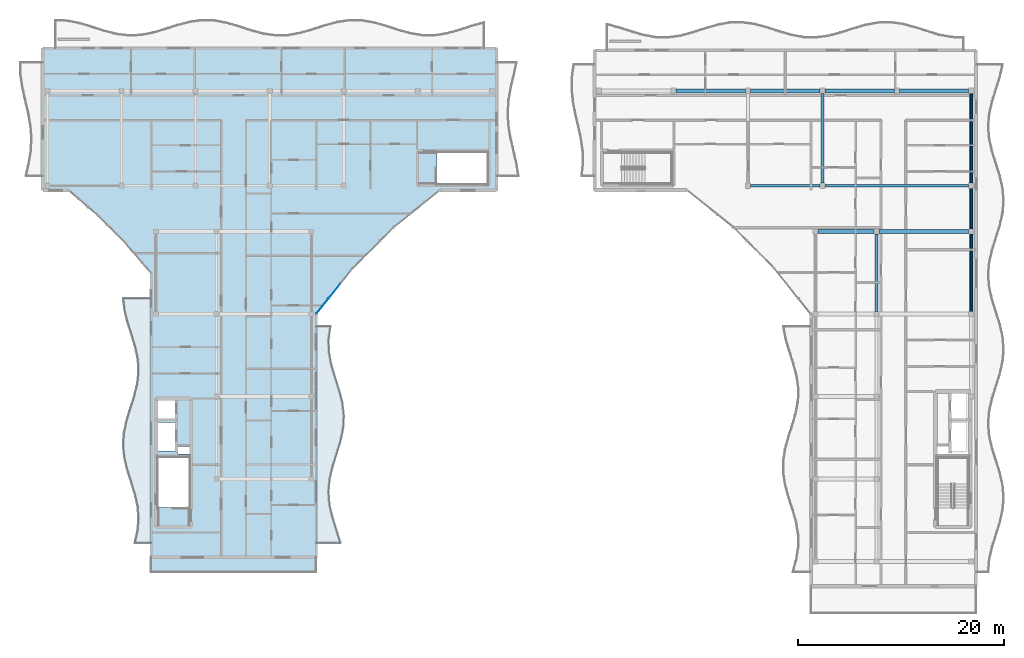
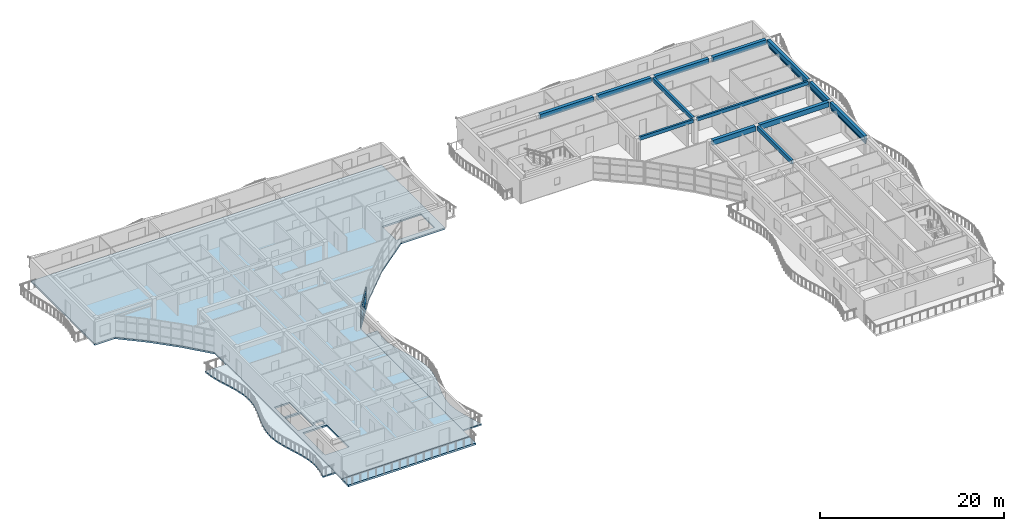
# One storey, part 12 of 30: 13 beams, 6 members, 6 plates, 4 slabs, 1 element without a shape of its own.
"""IFC4 building model written with IfcOpenShell, lengths in metres."""

from ifc_helpers import new_model, si_unit, direction, frame, origin, origin_2d, place, context, subcontext, project, spatial, polyline, rectangle, hollow_rectangle, outline, extrude, material, layer, layer_set, material_profile, profile_set, type_object, element, aggregate, save


model = new_model("IFC4")

# Units and contexts
model_context = context("Model", 3, precision=1e-05, world=origin(), true_north=direction((0.0, 1.0)))
body_context = subcontext(model_context, "Body", "Model", "MODEL_VIEW")
ifc_project = project(units=[si_unit("LENGTHUNIT", "METRE"), si_unit("AREAUNIT", "SQUARE_METRE"), si_unit("VOLUMEUNIT", "CUBIC_METRE"), si_unit("PLANEANGLEUNIT", "RADIAN"), si_unit("MASSUNIT", "GRAM", prefix="KILO")], contexts=[model_context])

# Site, building, storey
site_placement = place(None, origin())
site = spatial("IfcSite", under=ifc_project, at=site_placement, CompositionType="ELEMENT")
building_placement = place(site_placement, origin())
building = spatial("IfcBuilding", under=site, at=building_placement, Name="Keldmere Railside Commons", CompositionType="ELEMENT")
storey_placement = place(building_placement, frame((0.0, 0.0, 36.159912109375)))
storey = spatial("IfcBuildingStorey", under=building, at=storey_placement, Name="L11", CompositionType="ELEMENT", Elevation=36.159912109375)

# Members
ifc_material_1 = material(Name="Steel F-36 (S355)", Category="steel")
ifc_material_profile_1 = material_profile(ifc_material_1, hollow_rectangle(XDim=0.14990234375, YDim=0.25, WallThickness=0.010009765625, at=origin_2d()), Name="RHS-250x150x10")
ifc_profile_set_1 = profile_set([ifc_material_profile_1], Name="Steel F-36 (S355)")
member_type_1 = type_object("IfcMemberType", Name="Balcony Continuous Planted Trough RHS250x150", PredefinedType="CHORD", material=ifc_profile_set_1)
member_1_placement = place(storey_placement, frame((183.550048828125, 88.25, 2.4150390625), z_axis=(0.0, 1.0, 0.0), x_axis=(-1.0, 0.0, 0.0)))
element("IfcMember", 1, at=member_1_placement, inside=storey, type_object=member_type_1, Name="PLT-1 MEM-BPLT-1027", PredefinedType="CHORD", context=body_context, shape_type="SweptSolid", body=[
    extrude(hollow_rectangle(XDim=0.14990234375, YDim=0.25, WallThickness=0.010009765625, at=origin_2d()), origin(), (0.0, 0.0, 1.0), 7.5),
])
member_2_placement = place(storey_placement, frame((183.550048828125, 96.25, 2.4150390625), z_axis=(0.0, 1.0, 0.0), x_axis=(-1.0, 0.0, 0.0)))
element("IfcMember", 2, at=member_2_placement, inside=storey, type_object=member_type_1, Name="PLT-1 MEM-BPLT-1029", PredefinedType="CHORD", context=body_context, shape_type="SweptSolid", body=[
    extrude(hollow_rectangle(XDim=0.14990234375, YDim=0.25, WallThickness=0.010009765625, at=origin_2d()), origin(), (0.0, 0.0, 1.0), 3.949951171875),
])
member_3_placement = place(storey_placement, frame((183.550048828125, 100.699951171875, 2.4150390625), z_axis=(0.0, 1.0, 0.0), x_axis=(-1.0, 0.0, 0.0)))
element("IfcMember", 3, at=member_3_placement, inside=storey, type_object=member_type_1, Name="PLT-1 MEM-BPLT-1031", PredefinedType="CHORD", context=body_context, shape_type="SweptSolid", body=[
    extrude(hollow_rectangle(XDim=0.14990234375, YDim=0.25, WallThickness=0.010009765625, at=origin_2d()), origin(), (0.0, 0.0, 1.0), 8.699951171875),
])

# Beams
ifc_material_2 = material(Name="Architectural Precast Concrete H-35 (C35/45)", Category="concrete")
ifc_material_profile_2 = material_profile(ifc_material_2, rectangle(XDim=0.25, YDim=0.449951171875, at=origin_2d()), Name="RC-250x450")
ifc_profile_set_2 = profile_set([ifc_material_profile_2], Name="Architectural Precast Concrete H-35 (C35/45)")
beam_type_1 = type_object("IfcBeamType", Name="Perimeter Precast Spandrel Beam 250x450", PredefinedType="SPANDREL", material=ifc_profile_set_2)
beam_1_placement = place(storey_placement, frame((162.139892578125, 100.449951171875, 2.97509765625), z_axis=(1.0, 0.0, 0.0), x_axis=(0.0, 1.0, 0.0)))
element("IfcBeam", 4, at=beam_1_placement, inside=storey, type_object=beam_type_1, Name="SPB-1 BM-L11-2446", PredefinedType="SPANDREL", context=body_context, shape_type="SweptSolid", body=[
    extrude(rectangle(XDim=0.25, YDim=0.449951171875, at=origin_2d()), origin(), (0.0, 0.0, 1.0), 6.72021484375),
])
beam_2_placement = place(storey_placement, frame((169.360107421875, 100.449951171875, 2.97509765625), z_axis=(1.0, 0.0, 0.0), x_axis=(0.0, 1.0, 0.0)))
element("IfcBeam", 5, at=beam_2_placement, inside=storey, type_object=beam_type_1, Name="SPB-1 BM-L11-2447", PredefinedType="SPANDREL", context=body_context, shape_type="SweptSolid", body=[
    extrude(rectangle(XDim=0.25, YDim=0.449951171875, at=origin_2d()), origin(), (0.0, 0.0, 1.0), 13.93994140625),
])
ifc_material_3 = material(Name="Concrete H-30 (C30/37)", Category="concrete")
ifc_material_profile_3 = material_profile(ifc_material_3, rectangle(XDim=0.35009765625, YDim=0.60009765625, at=origin_2d()), Name="RC-350x600")
ifc_profile_set_3 = profile_set([ifc_material_profile_3], Name="Concrete H-30 (C30/37)")
beam_type_2 = type_object("IfcBeamType", Name="Residential Chord RC Beam 350x600", PredefinedType="BEAM", material=ifc_profile_set_3)
beam_3_placement = place(storey_placement, frame((183.550048828125, 88.25, 2.900146484375), z_axis=(0.0, 1.0, 0.0), x_axis=(-1.0, 0.0, 0.0)))
element("IfcBeam", 6, at=beam_3_placement, inside=storey, type_object=beam_type_2, Name="BG-4 BM-L11-2482", PredefinedType="BEAM", context=body_context, shape_type="SweptSolid", body=[
    extrude(rectangle(XDim=0.35009765625, YDim=0.60009765625, at=origin_2d()), origin(), (0.0, 0.0, 1.0), 7.5),
])
beam_4_placement = place(storey_placement, frame((183.550048828125, 96.25, 2.900146484375), z_axis=(0.0, 1.0, 0.0), x_axis=(-1.0, 0.0, 0.0)))
element("IfcBeam", 7, at=beam_4_placement, inside=storey, type_object=beam_type_2, Name="BG-4 BM-L11-2483", PredefinedType="BEAM", context=body_context, shape_type="SweptSolid", body=[
    extrude(rectangle(XDim=0.35009765625, YDim=0.60009765625, at=origin_2d()), origin(), (0.0, 0.0, 1.0), 3.949951171875),
])
beam_5_placement = place(storey_placement, frame((183.550048828125, 100.699951171875, 2.900146484375), z_axis=(0.0, 1.0, 0.0), x_axis=(-1.0, 0.0, 0.0)))
element("IfcBeam", 8, at=beam_5_placement, inside=storey, type_object=beam_type_2, Name="BG-4 BM-L11-2484", PredefinedType="BEAM", context=body_context, shape_type="SweptSolid", body=[
    extrude(rectangle(XDim=0.35009765625, YDim=0.60009765625, at=origin_2d()), origin(), (0.0, 0.0, 1.0), 8.699951171875),
])
ifc_material_profile_4 = material_profile(ifc_material_3, rectangle(XDim=0.39990234375, YDim=0.64990234375, at=origin_2d()), Name="RC-400x650")
ifc_profile_set_4 = profile_set([ifc_material_profile_4], Name="Concrete H-30 (C30/37)")
beam_type_3 = type_object("IfcBeamType", Name="Residential Spine RC Girder 400x650", PredefinedType="BEAM", material=ifc_profile_set_4)
beam_6_placement = place(storey_placement, frame((168.699951171875, 96.0, 2.875), z_axis=(1.0, 0.0, 0.0), x_axis=(0.0, 1.0, 0.0)))
element("IfcBeam", 9, at=beam_6_placement, inside=storey, type_object=beam_type_3, Name="BG-3 BM-L11-2440", PredefinedType="BEAM", context=body_context, shape_type="SweptSolid", body=[
    extrude(rectangle(XDim=0.39990234375, YDim=0.64990234375, at=origin_2d()), origin(), (0.0, 0.0, 1.0), 5.400146484375),
])
beam_7_placement = place(storey_placement, frame((174.60009765625, 96.0, 2.875), z_axis=(1.0, 0.0, 0.0), x_axis=(0.0, 1.0, 0.0)))
element("IfcBeam", 10, at=beam_7_placement, inside=storey, type_object=beam_type_3, Name="BG-3 BM-L11-2441", PredefinedType="BEAM", context=body_context, shape_type="SweptSolid", body=[
    extrude(rectangle(XDim=0.39990234375, YDim=0.64990234375, at=origin_2d()), origin(), (0.0, 0.0, 1.0), 8.699951171875),
])
beam_8_placement = place(storey_placement, frame((154.919921875, 109.64990234375, 2.875), z_axis=(1.0, 0.0, 0.0), x_axis=(0.0, 1.0, 0.0)))
element("IfcBeam", 11, at=beam_8_placement, inside=storey, type_object=beam_type_3, Name="BG-3 BM-L11-2455", PredefinedType="BEAM", context=body_context, shape_type="SweptSolid", body=[
    extrude(rectangle(XDim=0.39990234375, YDim=0.64990234375, at=origin_2d()), origin(), (0.0, 0.0, 1.0), 6.719970703125),
])
beam_9_placement = place(storey_placement, frame((162.139892578125, 109.64990234375, 2.875), z_axis=(1.0, 0.0, 0.0), x_axis=(0.0, 1.0, 0.0)))
element("IfcBeam", 12, at=beam_9_placement, inside=storey, type_object=beam_type_3, Name="BG-3 BM-L11-2456", PredefinedType="BEAM", context=body_context, shape_type="SweptSolid", body=[
    extrude(rectangle(XDim=0.39990234375, YDim=0.64990234375, at=origin_2d()), origin(), (0.0, 0.0, 1.0), 6.72021484375),
])
for number, where, z_axis, x_axis, name in (
    (13, (169.360107421875, 109.64990234375, 2.875), (1.0, 0.0, 0.0), (0.0, 1.0, 0.0), "BG-3 BM-L11-2457"),
    (14, (176.580078125, 109.64990234375, 2.875), (1.0, 0.0, 0.0), (0.0, 1.0, 0.0), "BG-3 BM-L11-2458"),
):
    element("IfcBeam", number, at=place(storey_placement, frame(where, z_axis=z_axis, x_axis=x_axis)), inside=storey, type_object=beam_type_3, Name=name, PredefinedType="BEAM", context=body_context, shape_type="SweptSolid", body=[
        extrude(rectangle(XDim=0.39990234375, YDim=0.64990234375, at=origin_2d()), origin(), (0.0, 0.0, 1.0), 6.719970703125),
    ])
ifc_material_profile_5 = material_profile(ifc_material_3, rectangle(XDim=0.300048828125, YDim=0.5, at=origin_2d()), Name="RC-300x500")
ifc_profile_set_5 = profile_set([ifc_material_profile_5], Name="Concrete H-30 (C30/37)")
beam_type_4 = type_object("IfcBeamType", Name="Secondary Frame RC Beam 300x500", PredefinedType="BEAM", material=ifc_profile_set_5)
beam_10_placement = place(storey_placement, frame((169.110107421875, 100.699951171875, 2.9501953125), z_axis=(0.0, 1.0, 0.0), x_axis=(-1.0, 0.0, 0.0)))
element("IfcBeam", 15, at=beam_10_placement, inside=storey, type_object=beam_type_4, Name="BG-5 BM-L11-2476", PredefinedType="BEAM", context=body_context, shape_type="SweptSolid", body=[
    extrude(rectangle(XDim=0.300048828125, YDim=0.5, at=origin_2d()), origin(), (0.0, 0.0, 1.0), 8.699951171875),
])
beam_11_placement = place(storey_placement, frame((174.35009765625, 88.25, 2.9501953125), z_axis=(0.0, 1.0, 0.0), x_axis=(-1.0, 0.0, 0.0)))
element("IfcBeam", 16, at=beam_11_placement, inside=storey, type_object=beam_type_4, Name="BG-5 BM-L11-2480", PredefinedType="BEAM", context=body_context, shape_type="SweptSolid", body=[
    extrude(rectangle(XDim=0.300048828125, YDim=0.5, at=origin_2d()), origin(), (0.0, 0.0, 1.0), 7.5),
])

# Members
ifc_material_profile_6 = material_profile(ifc_material_1, hollow_rectangle(XDim=0.10009765625, YDim=0.159912109375, WallThickness=0.008056640625, at=origin_2d()), Name="RHS-160x100x8")
ifc_profile_set_6 = profile_set([ifc_material_profile_6], Name="Steel F-36 (S355)")
member_type_2 = type_object("IfcMemberType", Name="Solar Brise-Soleil Louvre Fin RHS160x100", PredefinedType="STRUT", material=ifc_profile_set_6)
member_4_placement = place(storey_placement, frame((183.550048828125, 88.25, 2.2001953125), z_axis=(0.0, 1.0, 0.0), x_axis=(-1.0, 0.0, 0.0)))
element("IfcMember", 17, at=member_4_placement, inside=storey, type_object=member_type_2, Name="BSF-1 MEM-BSF-1028", PredefinedType="STRUT", context=body_context, shape_type="SweptSolid", body=[
    extrude(hollow_rectangle(XDim=0.10009765625, YDim=0.159912109375, WallThickness=0.008056640625, at=origin_2d()), origin(), (0.0, 0.0, 1.0), 7.5),
])
member_5_placement = place(storey_placement, frame((183.550048828125, 96.25, 2.2001953125), z_axis=(0.0, 1.0, 0.0), x_axis=(-1.0, 0.0, 0.0)))
element("IfcMember", 18, at=member_5_placement, inside=storey, type_object=member_type_2, Name="BSF-1 MEM-BSF-1030", PredefinedType="STRUT", context=body_context, shape_type="SweptSolid", body=[
    extrude(hollow_rectangle(XDim=0.10009765625, YDim=0.159912109375, WallThickness=0.008056640625, at=origin_2d()), origin(), (0.0, 0.0, 1.0), 3.949951171875),
])
member_6_placement = place(storey_placement, frame((183.550048828125, 100.699951171875, 2.2001953125), z_axis=(0.0, 1.0, 0.0), x_axis=(-1.0, 0.0, 0.0)))
element("IfcMember", 19, at=member_6_placement, inside=storey, type_object=member_type_2, Name="BSF-1 MEM-BSF-1032", PredefinedType="STRUT", context=body_context, shape_type="SweptSolid", body=[
    extrude(hollow_rectangle(XDim=0.10009765625, YDim=0.159912109375, WallThickness=0.008056640625, at=origin_2d()), origin(), (0.0, 0.0, 1.0), 8.699951171875),
])

# Curtain wall, plates
ifc_material_4 = material(Name="Thermally Broken Aluminium", Category="aluminium")
ifc_layer_1 = layer(ifc_material_4, 0.159912109375, Name="Court Chord Wintergarden CW 4800x2850")
ifc_layer_set_1 = layer_set([ifc_layer_1], Name="Thermally Broken Aluminium")
curtain_wall_type = type_object("IfcCurtainWallType", Name="Court Chord Wintergarden CW 4800x2850", PredefinedType="NOTDEFINED", material=ifc_layer_set_1)
curtain_wall_placement = place(storey_placement, origin())
curtain_wall = element("IfcCurtainWall", 20, at=curtain_wall_placement, inside=storey, type_object=curtain_wall_type, Name="CW-12 CW-L11-151", PredefinedType="NOTDEFINED")
ifc_material_5 = material(Name="Low-E Insulated Double Glazing", Category="glass")
ifc_layer_2 = layer(ifc_material_5, 0.033935546875, Name="Acoustic Laminated Vision Panel 34")
ifc_layer_set_2 = layer_set([ifc_layer_2], Name="Low-E Insulated Double Glazing")
plate_type = type_object("IfcPlateType", Name="Acoustic Laminated Vision Panel 34", PredefinedType="CURTAIN_PANEL", material=ifc_layer_set_2)
plate_1_placement = place(storey_placement, frame((121.777099609375, 90.215087890625, 0.06494140625), z_axis=(0.0, 0.0, 1.0), x_axis=(-0.625768080915, -0.780009172323, 0.0)))
plate_1 = element("IfcPlate", 21, at=plate_1_placement, type_object=plate_type, Name="CW-12 panel 2.1", PredefinedType="CURTAIN_PANEL", context=body_context, shape_type="SweptSolid", body=[
    extrude(rectangle(XDim=1.828125, YDim=0.033935546875, at=origin_2d()), origin(), (0.0, 0.0, 1.0), 0.802490234375),
])
plate_2_placement = place(storey_placement, frame((121.777099609375, 90.215087890625, 0.9326171875), z_axis=(0.0, 0.0, 1.0), x_axis=(-0.625768080915, -0.780009172323, 0.0)))
plate_2 = element("IfcPlate", 22, at=plate_2_placement, type_object=plate_type, Name="CW-12 panel 2.2", PredefinedType="CURTAIN_PANEL", context=body_context, shape_type="SweptSolid", body=[
    extrude(rectangle(XDim=1.828125, YDim=0.033935546875, at=origin_2d()), origin(), (0.0, 0.0, 1.0), 1.18505859375),
])
plate_3_placement = place(storey_placement, frame((121.777099609375, 90.215087890625, 2.1826171875), z_axis=(0.0, 0.0, 1.0), x_axis=(-0.625768080915, -0.780009172323, 0.0)))
plate_3 = element("IfcPlate", 23, at=plate_3_placement, type_object=plate_type, Name="CW-12 panel 2.3", PredefinedType="CURTAIN_PANEL", context=body_context, shape_type="SweptSolid", body=[
    extrude(rectangle(XDim=1.828125, YDim=0.033935546875, at=origin_2d()), origin(), (0.0, 0.0, 1.0), 0.732421875),
])
plate_4_placement = place(storey_placement, frame((120.6025390625, 88.7509765625, 0.06494140625), z_axis=(0.0, 0.0, 1.0), x_axis=(-0.625768080915, -0.780009172323, 0.0)))
plate_4 = element("IfcPlate", 24, at=plate_4_placement, type_object=plate_type, Name="CW-12 panel 3.1", PredefinedType="CURTAIN_PANEL", context=body_context, shape_type="SweptSolid", body=[
    extrude(rectangle(XDim=1.795654296875, YDim=0.033935546875, at=origin_2d()), origin(), (0.0, 0.0, 1.0), 0.802490234375),
])
plate_5_placement = place(storey_placement, frame((120.6025390625, 88.7509765625, 0.9326171875), z_axis=(0.0, 0.0, 1.0), x_axis=(-0.625768080915, -0.780009172323, 0.0)))
plate_5 = element("IfcPlate", 25, at=plate_5_placement, type_object=plate_type, Name="CW-12 panel 3.2", PredefinedType="CURTAIN_PANEL", context=body_context, shape_type="SweptSolid", body=[
    extrude(rectangle(XDim=1.795654296875, YDim=0.033935546875, at=origin_2d()), origin(), (0.0, 0.0, 1.0), 1.18505859375),
])
plate_6_placement = place(storey_placement, frame((120.6025390625, 88.7509765625, 2.1826171875), z_axis=(0.0, 0.0, 1.0), x_axis=(-0.625768080915, -0.780009172323, 0.0)))
plate_6 = element("IfcPlate", 26, at=plate_6_placement, type_object=plate_type, Name="CW-12 panel 3.3", PredefinedType="CURTAIN_PANEL", context=body_context, shape_type="SweptSolid", body=[
    extrude(rectangle(XDim=1.795654296875, YDim=0.033935546875, at=origin_2d()), origin(), (0.0, 0.0, 1.0), 0.732421875),
])
aggregate(curtain_wall, [plate_1, plate_2, plate_3, plate_4, plate_5, plate_6])

# Slabs
ifc_material_6 = material(Name="Concrete H-35 (C35/45)", Category="concrete")
ifc_layer_3 = layer(ifc_material_6, 0.25, Name="Planted Terrace Roof Slab 250")
ifc_layer_set_3 = layer_set([ifc_layer_3], Name="Concrete H-35 (C35/45)")
slab_type_1 = type_object("IfcSlabType", Name="Planted Terrace Roof Slab 250", PredefinedType="ROOF", material=ifc_layer_set_3)
slab_1_placement = place(storey_placement, frame((0.0, 0.0, -0.25)))
element("IfcSlab", 27, at=slab_1_placement, inside=storey, type_object=slab_type_1, Name="RT-1 TERRB-L11-051", PredefinedType="ROOF", context=body_context, shape_type="SweptSolid", body=[
    extrude(outline(polyline([(120.0, 63.0), (120.0, 64.389892578125), (104.0, 64.389892578125), (104.0, 63.0), (120.0, 63.0)])), origin(), (0.0, 0.0, 1.0), 0.25),
])
ifc_layer_4 = layer(ifc_material_3, 0.219970703125, Name="Residential Flat Slab 220")
ifc_layer_set_4 = layer_set([ifc_layer_4], Name="Concrete H-30 (C30/37)")
slab_type_2 = type_object("IfcSlabType", Name="Residential Flat Slab 220", PredefinedType="FLOOR", material=ifc_layer_set_4)
slab_2_placement = place(storey_placement, frame((0.0, 0.0, -0.219970703125)))
element("IfcSlab", 28, at=slab_2_placement, inside=storey, type_object=slab_type_2, Name="FS-2 BLKB-L11-050", PredefinedType="FLOOR", context=body_context, shape_type="SweptSolid", body=[
    extrude(outline(polyline([(104.0, 64.39990234375), (120.0, 64.39990234375), (120.0, 88.0), (123.553955078125, 92.429931640625), (127.570068359375, 96.446044921875), (132.0, 100.0), (137.5, 100.0), (137.5, 113.800048828125), (93.5, 113.800048828125), (93.5, 100.0), (96.0, 100.0), (98.85791015625, 97.530029296875), (101.530029296875, 94.85791015625), (104.0, 92.0), (104.0, 64.39990234375)]), holes=[polyline([(107.675048828125, 74.074951171875), (107.675048828125, 69.22509765625), (104.675048828125, 69.22509765625), (104.675048828125, 74.074951171875), (107.675048828125, 74.074951171875)]), polyline([(107.699951171875, 75.159912109375), (107.699951171875, 74.419921875), (106.60009765625, 74.419921875), (106.60009765625, 75.159912109375), (107.699951171875, 75.159912109375)]), polyline([(106.39990234375, 74.699951171875), (104.39990234375, 74.699951171875), (104.39990234375, 77.5), (106.39990234375, 77.5), (106.39990234375, 74.699951171875)]), polyline([(106.300048828125, 79.800048828125), (106.300048828125, 77.75), (104.39990234375, 77.75), (104.39990234375, 79.800048828125), (106.300048828125, 79.800048828125)]), polyline([(131.72509765625, 100.625), (131.72509765625, 103.625), (136.574951171875, 103.625), (136.574951171875, 100.625), (131.72509765625, 100.625)])]), origin(), (0.0, 0.0, 1.0), 0.219970703125),
])
ifc_material_7 = material(Name="White Precast Concrete H-35 (C35/45)", Category="concrete")
ifc_layer_5 = layer(ifc_material_7, 0.179931640625, Name="Sinusoidal Wave Balcony Slab 180")
ifc_layer_set_5 = layer_set([ifc_layer_5], Name="White Precast Concrete H-35 (C35/45)")
slab_type_3 = type_object("IfcSlabType", Name="Sinusoidal Wave Balcony Slab 180", PredefinedType="FLOOR", material=ifc_layer_set_5)
slab_3_placement = place(storey_placement, frame((0.0, 0.0, -0.179931640625)))
element("IfcSlab", 29, at=slab_3_placement, inside=storey, type_object=slab_type_3, Name="WB-1 B L11 CE Wave Balcony", PredefinedType="FLOOR", context=body_context, shape_type="SweptSolid", body=[
    extrude(outline(polyline([(122.357666015625, 65.800048828125), (121.976806640625, 67.035400390625), (121.58837890625, 68.2705078125), (121.302490234375, 69.505859375), (121.199951171875, 70.7412109375), (121.310302734375, 71.9765625), (121.60205078125, 73.2119140625), (121.992431640625, 74.447021484375), (122.370849609375, 75.682373046875), (122.6298828125, 76.91748046875), (122.696044921875, 78.15283203125), (122.55078125, 79.38818359375), (122.235107421875, 80.62353515625), (121.838623046875, 81.85888671875), (121.4736328125, 83.093994140625), (121.243896484375, 84.329345703125), (121.214111328125, 85.564697265625), (121.393310546875, 86.800048828125), (120.0, 86.800048828125), (120.0, 85.564697265625), (120.0, 84.329345703125), (120.0, 83.093994140625), (120.0, 81.85888671875), (120.0, 80.62353515625), (120.0, 79.38818359375), (120.0, 78.15283203125), (120.0, 76.91748046875), (120.0, 75.682373046875), (120.0, 74.447021484375), (120.0, 73.2119140625), (120.0, 71.9765625), (120.0, 70.7412109375), (120.0, 69.505859375), (120.0, 68.2705078125), (120.0, 67.035400390625), (120.0, 65.800048828125), (122.357666015625, 65.800048828125)])), origin(), (0.0, 0.0, 1.0), 0.179931640625),
])
slab_4_placement = place(storey_placement, frame((0.0, 0.0, -0.179931640625)))
element("IfcSlab", 30, at=slab_4_placement, inside=storey, type_object=slab_type_3, Name="WB-1 B L11 CW Wave Balcony", PredefinedType="FLOOR", context=body_context, shape_type="SweptSolid", body=[
    extrude(outline(polyline([(104.0, 65.800048828125), (104.0, 66.985107421875), (104.0, 68.169921875), (104.0, 69.35498046875), (104.0, 70.5400390625), (104.0, 71.72509765625), (104.0, 72.909912109375), (104.0, 74.094970703125), (104.0, 75.280029296875), (104.0, 76.465087890625), (104.0, 77.64990234375), (104.0, 78.8349609375), (104.0, 80.02001953125), (104.0, 81.205078125), (104.0, 82.389892578125), (104.0, 83.574951171875), (104.0, 84.760009765625), (104.0, 85.945068359375), (104.0, 87.1298828125), (104.0, 88.31494140625), (104.0, 89.5), (101.306396484375, 89.5), (101.451416015625, 88.31494140625), (101.752685546875, 87.1298828125), (102.132080078125, 85.945068359375), (102.489990234375, 84.760009765625), (102.732666015625, 83.574951171875), (102.797119140625, 82.389892578125), (102.666015625, 81.205078125), (102.3740234375, 80.02001953125), (101.997314453125, 78.8349609375), (101.63427734375, 77.64990234375), (101.380126953125, 76.465087890625), (101.301025390625, 75.280029296875), (101.417724609375, 74.094970703125), (101.69970703125, 72.909912109375), (102.0732421875, 71.72509765625), (102.44091796875, 70.5400390625), (102.706298828125, 69.35498046875), (102.800048828125, 68.169921875), (102.69775390625, 66.985107421875), (102.426025390625, 65.800048828125), (104.0, 65.800048828125)])), origin(), (0.0, 0.0, 1.0), 0.179931640625),
])

save(model, "model.ifc")
